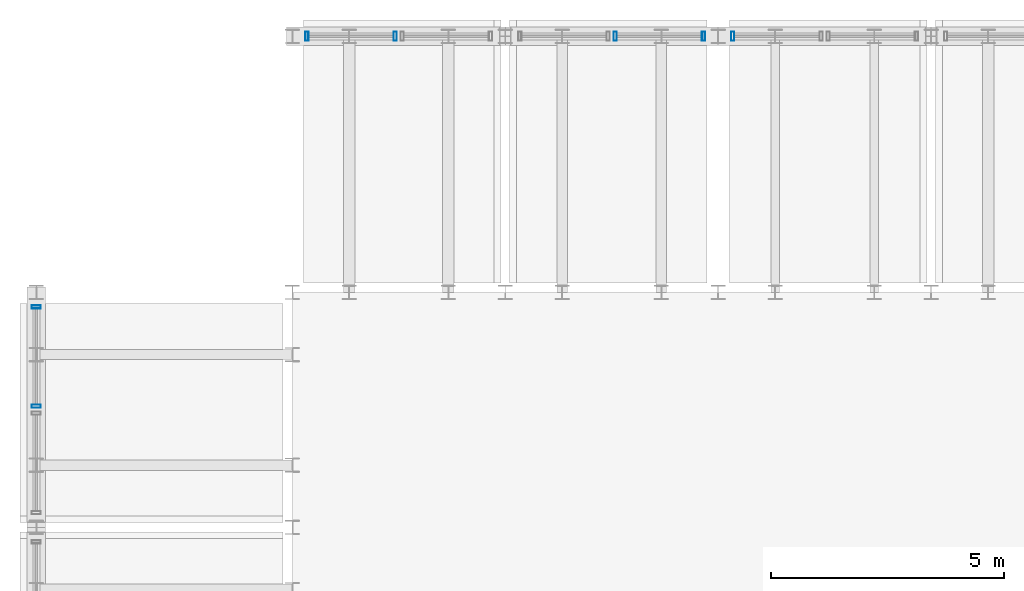
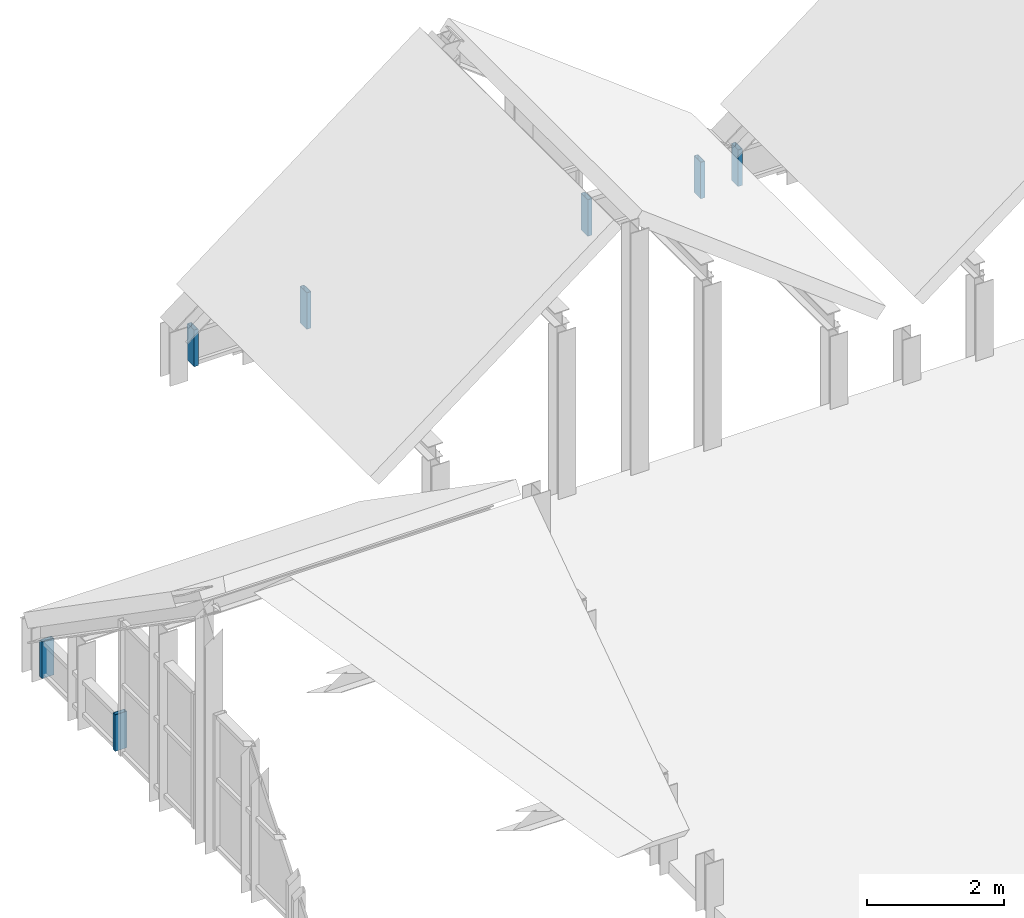
# One storey, part 18 of 21: 7 members, 4 elements without a shape of their own.
"""IFC4 building model written with IfcOpenShell, lengths in metres."""

from ifc_helpers import new_model, si_unit, direction, frame, origin, origin_2d, place, context, subcontext, project, spatial, hollow_rectangle, extrude, source, transform, mapped, material, layer, layer_set, material_profile, profile_set, type_object, element, aggregate, save


model = new_model("IFC4")

# Units and contexts
model_context = context("Model", 3, precision=1e-05, world=origin(), true_north=direction((0.0, 1.0)))
body_context = subcontext(model_context, "Body", "Model", "MODEL_VIEW")
ifc_project = project(units=[si_unit("LENGTHUNIT", "METRE"), si_unit("AREAUNIT", "SQUARE_METRE"), si_unit("VOLUMEUNIT", "CUBIC_METRE"), si_unit("PLANEANGLEUNIT", "RADIAN"), si_unit("MASSUNIT", "GRAM", prefix="KILO")], contexts=[model_context])

# Site, building, storey
site_placement = place(None, origin())
site = spatial("IfcSite", under=ifc_project, at=site_placement, CompositionType="ELEMENT")
building_placement = place(site_placement, origin())
building = spatial("IfcBuilding", under=site, at=building_placement, Name="Saelheon Loggia Tower", CompositionType="ELEMENT")
storey_placement = place(building_placement, frame((0.0, 0.0, 275.0)))
storey = spatial("IfcBuildingStorey", under=building, at=storey_placement, Name="ROOF", CompositionType="ELEMENT", Elevation=275.0)

# Curtain wall, members
ifc_material_1 = material(Name="Bronze-Anodised Aluminium and Fritted Ceramic Screen", Category="aluminium")
ifc_layer = layer(ifc_material_1, 0.219970703125)
ifc_layer_set = layer_set([ifc_layer], Name="Bronze-Anodised Aluminium and Fritted Ceramic Screen")
curtain_wall_type = type_object("IfcCurtainWallType", Name="CW_CrownScreen", PredefinedType="NOTDEFINED", material=ifc_layer_set)
curtain_wall_1_placement = place(storey_placement, origin())
curtain_wall_1 = element("IfcCurtainWall", 1, at=curtain_wall_1_placement, inside=storey, type_object=curtain_wall_type, Name="ROOF Wave Crest Curtain Wall W 06-2", PredefinedType="NOTDEFINED")
ifc_material_2 = material(Name="Bronze-Anodised Aluminium 6063-T6", Category="aluminium")
ifc_material_profile = material_profile(ifc_material_2, hollow_rectangle(XDim=0.070068359375, YDim=0.199951171875, WallThickness=0.0048828125, at=origin_2d()), Name="RHS-200x70x5")
ifc_profile_set = profile_set([ifc_material_profile], Name="Bronze-Anodised Aluminium 6063-T6")
member_type = type_object("IfcMemberType", Name="CW_CrownScreen_Mullion", PredefinedType="MULLION", material=ifc_profile_set)
shared_shape = source(origin(), body_context, "Body", "SweptSolid", [
    extrude(hollow_rectangle(XDim=0.070068359375, YDim=0.199951171875, WallThickness=0.0048828125, at=origin_2d()), origin(), (0.0, 0.0, 1.0), 0.64990234375),
])
member_1_placement = place(storey_placement, frame((23.35009765625, 39.699951171875, 0.02001953125), z_axis=(0.0, 0.0, 1.0), x_axis=(0.0, 1.0, 0.0)))
member_1 = element("IfcMember", 2, at=member_1_placement, type_object=member_type, Name="CW6 mullion 1", PredefinedType="MULLION", context=body_context, shape_type="MappedRepresentation", body=[
    mapped(shared_shape, transform((0.0, 0.0, 0.0), scale=1.0)),
])
member_2_placement = place(storey_placement, frame((23.35009765625, 41.8349609375, 0.02001953125), z_axis=(0.0, 0.0, 1.0), x_axis=(0.0, 1.0, 0.0)))
member_2 = element("IfcMember", 3, at=member_2_placement, type_object=member_type, Name="CW6 mullion 2", PredefinedType="MULLION", context=body_context, shape_type="MappedRepresentation", body=[
    mapped(shared_shape, transform((0.0, 0.0, 0.0), scale=1.0)),
])
aggregate(curtain_wall_1, [member_1, member_2])

curtain_wall_2_placement = place(storey_placement, origin())
curtain_wall_2 = element("IfcCurtainWall", 4, at=curtain_wall_2_placement, inside=storey, type_object=curtain_wall_type, Name="ROOF Wave Crest Curtain Wall N 01-1", PredefinedType="NOTDEFINED")
member_3_placement = place(storey_placement, frame((29.1650390625, 47.64990234375, 0.02001953125), z_axis=(0.0, 0.0, 1.0), x_axis=(1.0, 0.0, 0.0)))
member_3 = element("IfcMember", 5, at=member_3_placement, type_object=member_type, Name="CW6 mullion 1", PredefinedType="MULLION", context=body_context, shape_type="MappedRepresentation", body=[
    mapped(shared_shape, transform((0.0, 0.0, 0.0), scale=1.0)),
])
member_4_placement = place(storey_placement, frame((31.0625, 47.64990234375, 0.02001953125), z_axis=(0.0, 0.0, 1.0), x_axis=(1.0, 0.0, 0.0)))
member_4 = element("IfcMember", 6, at=member_4_placement, type_object=member_type, Name="CW6 mullion 2", PredefinedType="MULLION", context=body_context, shape_type="MappedRepresentation", body=[
    mapped(shared_shape, transform((0.0, 0.0, 0.0), scale=1.0)),
])
aggregate(curtain_wall_2, [member_3, member_4])

curtain_wall_3_placement = place(storey_placement, origin())
curtain_wall_3 = element("IfcCurtainWall", 7, at=curtain_wall_3_placement, inside=storey, type_object=curtain_wall_type, Name="ROOF Wave Crest Curtain Wall N 02-2", PredefinedType="NOTDEFINED")
member_5_placement = place(storey_placement, frame((35.78759765625, 47.64990234375, 0.02001953125), z_axis=(0.0, 0.0, 1.0), x_axis=(1.0, 0.0, 0.0)))
member_5 = element("IfcMember", 8, at=member_5_placement, type_object=member_type, Name="CW6 mullion 1", PredefinedType="MULLION", context=body_context, shape_type="MappedRepresentation", body=[
    mapped(shared_shape, transform((0.0, 0.0, 0.0), scale=1.0)),
])
member_6_placement = place(storey_placement, frame((37.68505859375, 47.64990234375, 0.02001953125), z_axis=(0.0, 0.0, 1.0), x_axis=(1.0, 0.0, 0.0)))
member_6 = element("IfcMember", 9, at=member_6_placement, type_object=member_type, Name="CW6 mullion 2", PredefinedType="MULLION", context=body_context, shape_type="MappedRepresentation", body=[
    mapped(shared_shape, transform((0.0, 0.0, 0.0), scale=1.0)),
])
aggregate(curtain_wall_3, [member_5, member_6])

# Curtain wall, member
curtain_wall_4_placement = place(storey_placement, origin())
curtain_wall_4 = element("IfcCurtainWall", 10, at=curtain_wall_4_placement, inside=storey, type_object=curtain_wall_type, Name="ROOF Wave Crest Curtain Wall N 03-1", PredefinedType="NOTDEFINED")
member_7_placement = place(storey_placement, frame((38.31494140625, 47.64990234375, 0.02001953125), z_axis=(0.0, 0.0, 1.0), x_axis=(1.0, 0.0, 0.0)))
member_7 = element("IfcMember", 11, at=member_7_placement, type_object=member_type, Name="CW6 mullion 1", PredefinedType="MULLION", context=body_context, shape_type="MappedRepresentation", body=[
    mapped(shared_shape, transform((0.0, 0.0, 0.0), scale=1.0)),
])
aggregate(curtain_wall_4, [member_7])

save(model, "model.ifc")
